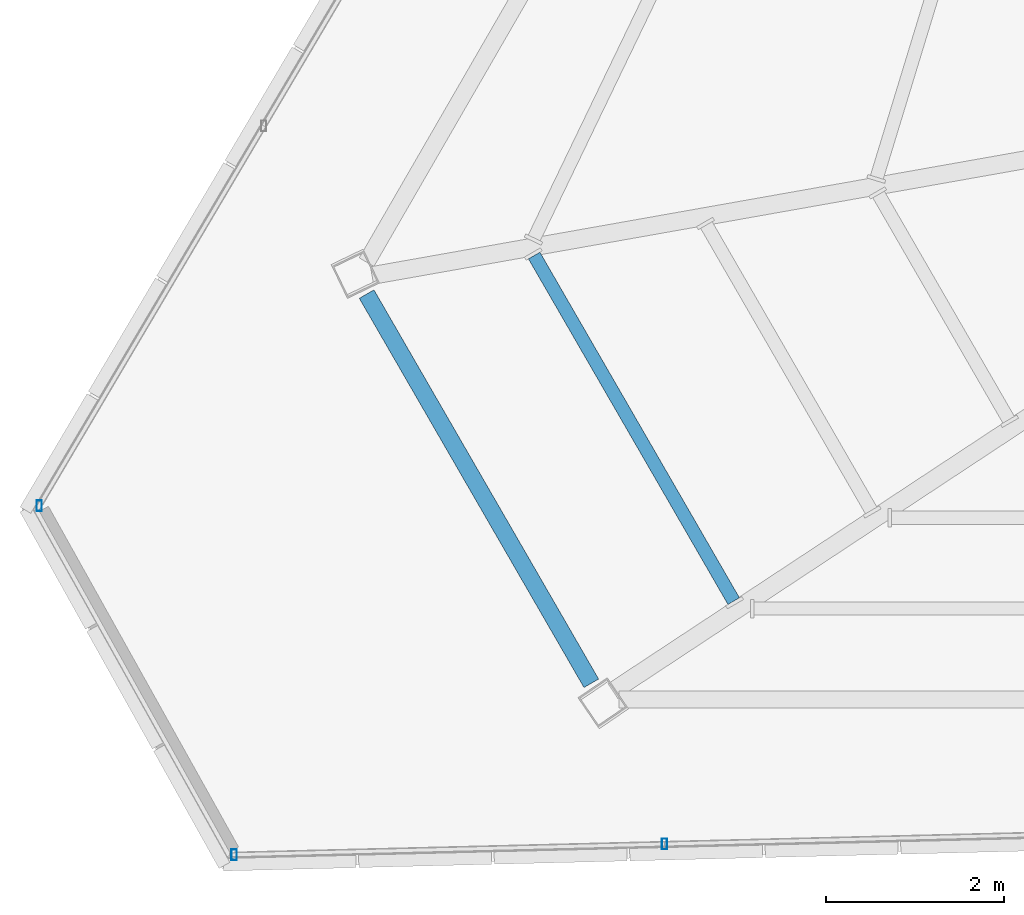
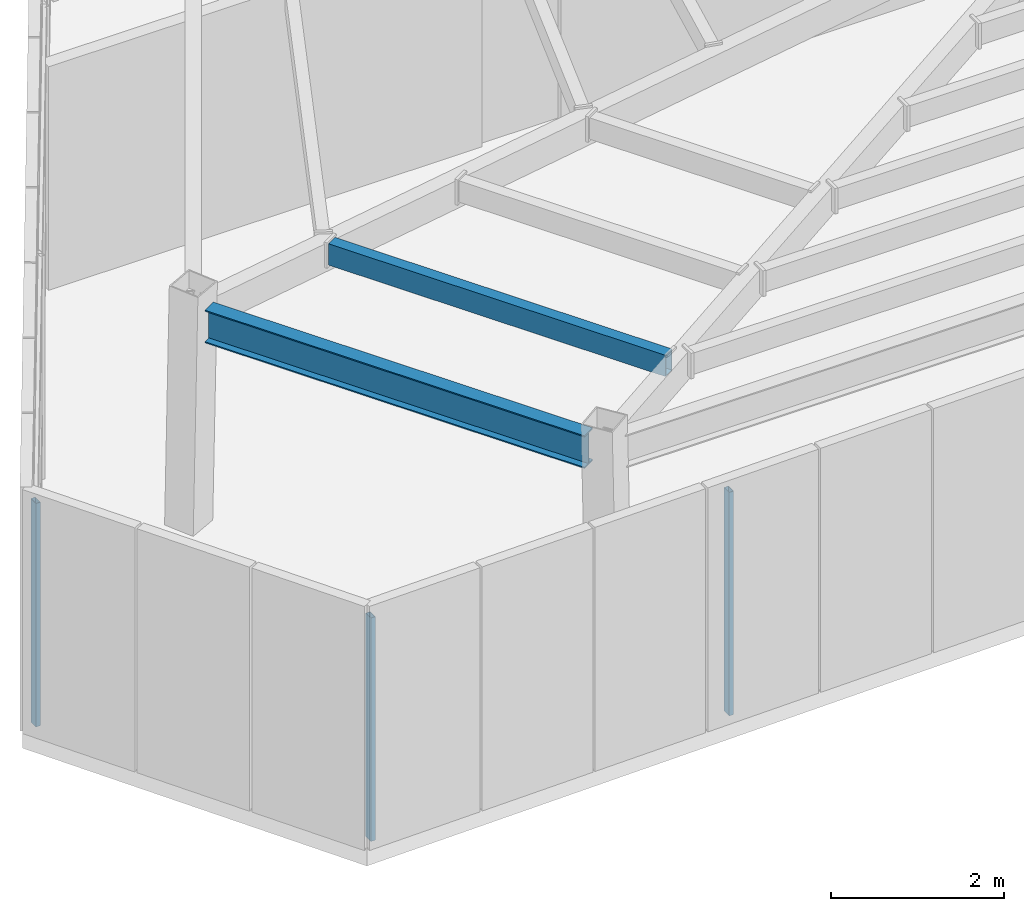
# One storey, part 3 of 48: 3 members, 2 beams, 2 elements without a shape of their own.
"""IFC4 building model written with IfcOpenShell, lengths in metres."""

from ifc_helpers import new_model, si_unit, direction, frame, origin, origin_2d, place, context, subcontext, project, spatial, hollow_rectangle, i_section, extrude, source, transform, mapped, material, material_profile, profile_set, type_object, type_shapes, element, aggregate, save


model = new_model("IFC4")

# Units and contexts
model_context = context("Model", 3, precision=1e-05, world=origin(), true_north=direction((0.0, 1.0)))
body_context = subcontext(model_context, "Body", "Model", "MODEL_VIEW")
ifc_project = project(units=[si_unit("LENGTHUNIT", "METRE"), si_unit("AREAUNIT", "SQUARE_METRE"), si_unit("VOLUMEUNIT", "CUBIC_METRE"), si_unit("PLANEANGLEUNIT", "RADIAN"), si_unit("MASSUNIT", "GRAM", prefix="KILO")], contexts=[model_context])

# Site, building, storey
site_placement = place(None, origin())
site = spatial("IfcSite", under=ifc_project, at=site_placement, CompositionType="ELEMENT")
building_placement = place(site_placement, origin())
building = spatial("IfcBuilding", under=site, at=building_placement, Name="Caelisora Broadcast Tower", CompositionType="ELEMENT")
storey_placement = place(building_placement, frame((0.0, 0.0, 300.0)))
storey = spatial("IfcBuildingStorey", under=building, at=storey_placement, Name="L79", CompositionType="ELEMENT", Elevation=300.0)

# Beams
ifc_material_1 = material(Name="Steel Grade 350 (AS/NZS 3679.1)", Category="steel")
ifc_material_profile_1 = material_profile(ifc_material_1, i_section(OverallWidth=0.19091796875, OverallDepth=0.46044921875, WebThickness=0.010009765625, FlangeThickness=0.01611328125, at=origin_2d()), Name="Steel Grade 350 (AS/NZS 3679.1)")
ifc_profile_set_1 = profile_set([ifc_material_profile_1], Name="Steel Grade 350 (AS/NZS 3679.1)")
beam_type_1 = type_object("IfcBeamType", Name="PG06", PredefinedType="BEAM", material=ifc_profile_set_1)
shared_shape_1 = source(origin(), body_context, "Body", "SweptSolid", [
    extrude(i_section(OverallWidth=0.19091796875, OverallDepth=0.46044921875, WebThickness=0.010009765625, FlangeThickness=0.01611328125, at=origin_2d()), origin(), (0.0, 0.0, 1.0), 5.0615234375),
])
type_shapes(beam_type_1, [shared_shape_1])
beam_1_placement = place(storey_placement, frame((17.027099609375, 14.813720703125, 2.919921875), z_axis=(0.499988276205, -0.866032172415, 0.0), x_axis=(0.866032172415, 0.499988276205, 0.0)))
element("IfcBeam", 1, at=beam_1_placement, inside=storey, type_object=beam_type_1, Name="L79 beam PG06", PredefinedType="BEAM", context=body_context, shape_type="MappedRepresentation", body=[
    mapped(shared_shape_1, transform((0.0, 0.0, 0.0), scale=1.0)),
])
ifc_material_2 = material(Name="Steel Grade 350 (AS/NZS 1163 C350L0)", Category="steel")
ifc_material_profile_2 = material_profile(ifc_material_2, hollow_rectangle(XDim=0.14990234375, YDim=0.300048828125, WallThickness=0.010009765625, at=origin_2d()), Name="Steel Grade 350 (AS/NZS 1163 C350L0)")
ifc_profile_set_2 = profile_set([ifc_material_profile_2], Name="Steel Grade 350 (AS/NZS 1163 C350L0)")
beam_type_2 = type_object("IfcBeamType", Name="SB05", PredefinedType="JOIST", material=ifc_profile_set_2)
shared_shape_2 = source(origin(), body_context, "Body", "SweptSolid", [
    extrude(hollow_rectangle(XDim=0.14990234375, YDim=0.300048828125, WallThickness=0.010009765625, at=origin_2d()), origin(), (0.0, 0.0, 1.0), 4.494384765625),
])
type_shapes(beam_type_2, [shared_shape_2])
beam_2_placement = place(storey_placement, frame((18.914306640625, 15.247802734375, 3.0), z_axis=(0.50003593406, -0.866004656251, 0.0), x_axis=(0.866004656251, 0.50003593406, 0.0)))
element("IfcBeam", 2, at=beam_2_placement, inside=storey, type_object=beam_type_2, Name="L79 beam SB05", PredefinedType="JOIST", context=body_context, shape_type="MappedRepresentation", body=[
    mapped(shared_shape_2, transform((0.0, 0.0, 0.0), scale=1.0)),
])

# Curtain wall, members
ifc_material_3 = material(Name="Unitised Aluminium Insulated Shadow-Box Spandrel Curtain Wall", Category="aluminium")
curtain_wall_type = type_object("IfcCurtainWallType", Name="CW-SP3", PredefinedType="NOTDEFINED", material=ifc_material_3)
curtain_wall_1_placement = place(storey_placement, origin())
curtain_wall_1 = element("IfcCurtainWall", 3, at=curtain_wall_1_placement, inside=storey, type_object=curtain_wall_type, Name="L79 curtain wall CW-SP3", PredefinedType="NOTDEFINED")
ifc_material_4 = material(Name="Aluminium 6063-T6 Anodised Terracotta Bronze", Category="aluminium")
ifc_material_profile_3 = material_profile(ifc_material_4, hollow_rectangle(XDim=0.06005859375, YDim=0.1201171875, WallThickness=0.0029296875, at=origin_2d()), Name="Aluminium 6063-T6 Anodised Terracotta Bronze")
ifc_profile_set_3 = profile_set([ifc_material_profile_3], Name="Aluminium 6063-T6 Anodised Terracotta Bronze")
member_type = type_object("IfcMemberType", Name="CWM-04", PredefinedType="MULLION", material=ifc_profile_set_3)
shared_shape_3 = source(origin(), body_context, "Body", "SweptSolid", [
    extrude(hollow_rectangle(XDim=0.06005859375, YDim=0.1201171875, WallThickness=0.0029296875, at=origin_2d()), origin(), (0.0, 0.0, 1.0), 3.14990234375),
])
type_shapes(member_type, [shared_shape_3])
member_1_placement = place(storey_placement, frame((20.382080078125, 8.619384765625, 0.0), z_axis=(0.0, 0.0, 1.0), x_axis=(1.0, 0.0, 0.0)))
member_1 = element("IfcMember", 4, at=member_1_placement, type_object=member_type, Name="L79-CW-B07 mullion #2", PredefinedType="MULLION", context=body_context, shape_type="MappedRepresentation", body=[
    mapped(shared_shape_3, transform((0.0, 0.0, 0.0), scale=1.0)),
])
member_2_placement = place(storey_placement, frame((15.534912109375, 8.499267578125, 0.0), z_axis=(0.0, 0.0, 1.0), x_axis=(1.0, 0.0, 0.0)))
member_2 = element("IfcMember", 5, at=member_2_placement, type_object=member_type, Name="L79-CW-B07 mullion #3", PredefinedType="MULLION", context=body_context, shape_type="MappedRepresentation", body=[
    mapped(shared_shape_3, transform((0.0, 0.0, 0.0), scale=1.0)),
])
aggregate(curtain_wall_1, [member_1, member_2])

# Curtain wall, member
curtain_wall_2_placement = place(storey_placement, origin())
curtain_wall_2 = element("IfcCurtainWall", 6, at=curtain_wall_2_placement, inside=storey, type_object=curtain_wall_type, Name="L79 curtain wall CW-SP3", PredefinedType="NOTDEFINED")
member_3_placement = place(storey_placement, frame((13.34033203125, 12.428955078125, 0.0), z_axis=(0.0, 0.0, 1.0), x_axis=(1.0, 0.0, 0.0)))
member_3 = element("IfcMember", 7, at=member_3_placement, type_object=member_type, Name="L79-CW-B09 mullion #0", PredefinedType="MULLION", context=body_context, shape_type="MappedRepresentation", body=[
    mapped(shared_shape_3, transform((0.0, 0.0, 0.0), scale=1.0)),
])
aggregate(curtain_wall_2, [member_3])

save(model, "model.ifc")
